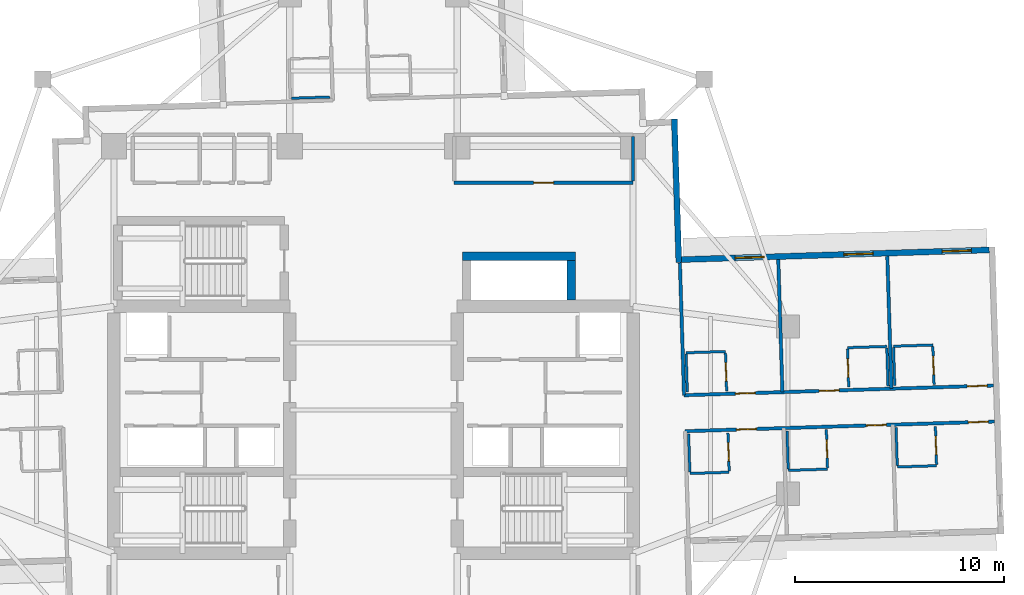
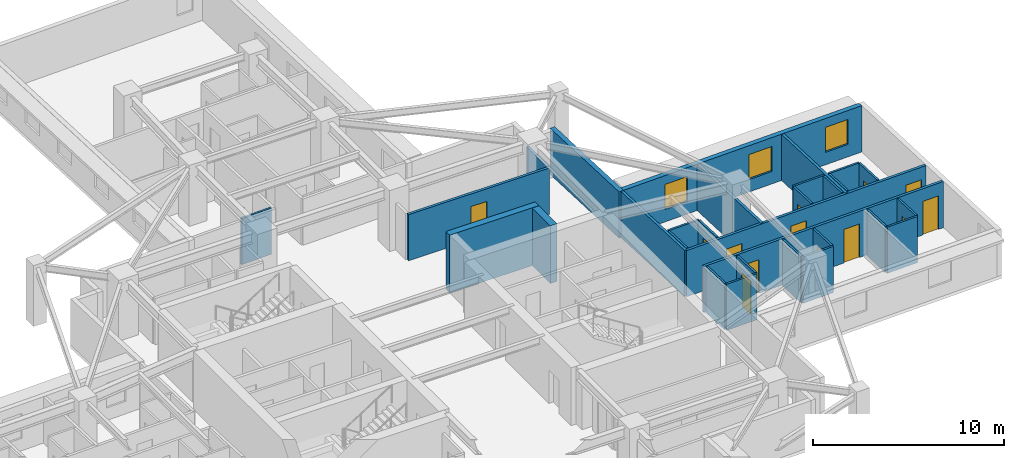
# One storey, part 7 of 14: 30 walls, 13 doors, 3 windows, 16 openings.
"""IFC4 building model written with IfcOpenShell, lengths in metres."""

from ifc_helpers import new_model, si_unit, direction, frame, frame_2d, origin, place, context, subcontext, project, spatial, rectangle, extrude, material, layer, layer_set, type_object, element, fill, save


model = new_model("IFC4")

# Units and contexts
model_context = context("Model", 3, precision=1e-05, world=origin(), true_north=direction((0.0, 1.0)))
body_context = subcontext(model_context, "Body", "Model", "MODEL_VIEW")
ifc_project = project(units=[si_unit("LENGTHUNIT", "METRE"), si_unit("AREAUNIT", "SQUARE_METRE"), si_unit("VOLUMEUNIT", "CUBIC_METRE"), si_unit("PLANEANGLEUNIT", "RADIAN"), si_unit("MASSUNIT", "GRAM", prefix="KILO")], contexts=[model_context])

# Site, building, storey
site_placement = place(None, origin())
site = spatial("IfcSite", under=ifc_project, at=site_placement, CompositionType="ELEMENT")
building_placement = place(site_placement, origin())
building = spatial("IfcBuilding", under=site, at=building_placement, Name="Qingluan Cross Belvedere", CompositionType="ELEMENT")
storey_placement = place(building_placement, frame((0.0, 0.0, 112.5)))
storey = spatial("IfcBuildingStorey", under=building, at=storey_placement, Name="L28", CompositionType="ELEMENT", Elevation=112.5)

# Walls
ifc_material_1 = material(Name="Concrete C50", Category="concrete")
ifc_layer_1 = layer(ifc_material_1, 0.449951171875, Name="CoreShearWall_450")
ifc_layer_set_1 = layer_set([ifc_layer_1], Name="Concrete C50")
wall_type_1 = type_object("IfcWallType", Name="CoreShearWall_450", PredefinedType="SHEAR", material=ifc_layer_set_1)
wall_1_placement = place(storey_placement, frame((4.25, 7.35009765625, 0.0), z_axis=(0.0, 0.0, 1.0), x_axis=(1.0, 0.0, 0.0)))
element("IfcWall", 1, at=wall_1_placement, inside=storey, type_object=wall_type_1, Name="Express shuttle core wall L28-N", PredefinedType="SHEAR", context=body_context, shape_type="SweptSolid", body=[
    extrude(rectangle(XDim=5.39990234375, YDim=0.39990234375, at=frame_2d((2.699951171875, 0.0))), origin(), (0.0, 0.0, 1.0), 3.699951171875),
])
wall_2_placement = place(storey_placement, frame((9.449951171875, 5.2548828125, 0.0), z_axis=(0.0, 0.0, 1.0), x_axis=(0.0, 1.0, 0.0)))
element("IfcWall", 2, at=wall_2_placement, inside=storey, type_object=wall_type_1, Name="Express shuttle core wall L28-E", PredefinedType="SHEAR", context=body_context, shape_type="SweptSolid", body=[
    extrude(rectangle(XDim=1.885009765625, YDim=0.39990234375, at=frame_2d((0.9423828125, 0.0))), origin(), (0.0, 0.0, 1.0), 3.699951171875),
])

# Wall, opening, door
ifc_material_2 = material(Name="Gypsum plasterboard on steel stud acoustic partition", Category="steel")
ifc_layer_2 = layer(ifc_material_2, 0.159912109375, Name="CorridorPartition_160")
ifc_layer_set_2 = layer_set([ifc_layer_2], Name="Gypsum plasterboard on steel stud acoustic partition")
wall_type_2 = type_object("IfcWallType", Name="CorridorPartition_160", PredefinedType="PARTITIONING", material=ifc_layer_set_2)
wall_3_placement = place(storey_placement, frame((3.85009765625, 10.85009765625, 0.0), z_axis=(0.0, 0.0, 1.0), x_axis=(1.0, 0.0, 0.0)))
wall_3 = element("IfcWall", 3, at=wall_3_placement, inside=storey, type_object=wall_type_2, Name="Partition L28:q_ne:S", PredefinedType="PARTITIONING", context=body_context, shape_type="SweptSolid", body=[
    extrude(rectangle(XDim=8.5498046875, YDim=0.159912109375, at=frame_2d((4.27490234375, 0.0))), origin(), (0.0, 0.0, 1.0), 2.9599609375),
])
opening_1_placement = place(wall_3_placement, frame((3.794921875, 0.0, 0.0)))
opening_1 = element("IfcOpeningElement", 4, at=opening_1_placement, cuts=wall_3, Name="Opening GD-10", PredefinedType="OPENING", context=body_context, shape_type="SweptSolid", body=[
    extrude(rectangle(XDim=0.9599609375, YDim=2.14990234375, at=frame_2d((0.47998046875, 1.074951171875))), frame((0.0, 0.08984375, 0.0), z_axis=(0.0, -1.0, 0.0), x_axis=(1.0, 0.0, 0.0)), (0.0, 0.0, 1.0), 0.179931640625),
])
ifc_material_3 = material(Name="Timber oak fire-rated acoustic guestroom door", Category="wood")
door_type_1 = type_object("IfcDoorType", Name="GuestEntryDoor_FD60", OperationType="NOTDEFINED", PredefinedType="DOOR", material=ifc_material_3)
door_1_placement = place(opening_1_placement, origin())
door_1 = element("IfcDoor", 5, at=door_1_placement, inside=storey, type_object=door_type_1, Name="Executive club lounge L28 door", OperationType="SINGLE_SWING_LEFT", OverallHeight=2.14990234375, OverallWidth=0.9599609375, PredefinedType="DOOR", context=body_context, shape_type="SweptSolid", body=[
    extrude(rectangle(XDim=0.9599609375, YDim=2.14990234375, at=frame_2d((0.47998046875, 1.074951171875))), frame((0.0, 0.02490234375, 0.0), z_axis=(0.0, -1.0, 0.0), x_axis=(1.0, 0.0, 0.0)), (0.0, 0.0, 1.0), 0.050048828125),
])
fill(opening_1, door_1)

# Wall
wall_4_placement = place(storey_placement, frame((12.39990234375, 10.93505859375, 0.0), z_axis=(0.0, 0.0, 1.0), x_axis=(0.0, 1.0, 0.0)))
element("IfcWall", 6, at=wall_4_placement, inside=storey, type_object=wall_type_2, Name="Partition L28:q_ne:E", PredefinedType="PARTITIONING", context=body_context, shape_type="SweptSolid", body=[
    extrude(rectangle(XDim=2.1298828125, YDim=0.159912109375, at=frame_2d((1.06494140625, 0.0))), origin(), (0.0, 0.0, 1.0), 2.9599609375),
])

# Wall, openings, doors
wall_5_placement = place(storey_placement, frame((14.835205078125, 0.706298828125, 0.0), z_axis=(0.0, 0.0, 1.0), x_axis=(0.999506468759, 0.031413673903, 0.0)))
wall_5 = element("IfcWall", 7, at=wall_5_placement, inside=storey, type_object=wall_type_2, Name="Partition L28:E:c0", PredefinedType="PARTITIONING", context=body_context, shape_type="SweptSolid", body=[
    extrude(rectangle(XDim=14.781982421875, YDim=0.159912109375, at=frame_2d((7.39111328125, 0.0))), origin(), (0.0, 0.0, 1.0), 2.9599609375),
])
opening_2_placement = place(wall_5_placement, frame((2.449951171875, 0.0, 0.0)))
opening_2 = element("IfcOpeningElement", 8, at=opening_2_placement, cuts=wall_5, Name="Opening GD-10", PredefinedType="OPENING", context=body_context, shape_type="SweptSolid", body=[
    extrude(rectangle(XDim=0.9599609375, YDim=2.14990234375, at=frame_2d((0.47998046875, 1.074951171875))), frame((0.0, 0.08984375, 0.0), z_axis=(0.0, -1.0, 0.0), x_axis=(1.0, 0.0, 0.0)), (0.0, 0.0, 1.0), 0.179931640625),
])
opening_3_placement = place(wall_5_placement, frame((6.452880859375, 0.0, 0.0)))
opening_3 = element("IfcOpeningElement", 9, at=opening_3_placement, cuts=wall_5, Name="Opening GD-10", PredefinedType="OPENING", context=body_context, shape_type="SweptSolid", body=[
    extrude(rectangle(XDim=0.9599609375, YDim=2.14990234375, at=frame_2d((0.47998046875, 1.074951171875))), frame((0.0, 0.08984375, 0.0), z_axis=(0.0, -1.0, 0.0), x_axis=(1.0, 0.0, 0.0)), (0.0, 0.0, 1.0), 0.179931640625),
])
opening_4_placement = place(wall_5_placement, frame((13.530029296875, 0.0, 0.0)))
opening_4 = element("IfcOpeningElement", 10, at=opening_4_placement, cuts=wall_5, Name="Opening GD-10", PredefinedType="OPENING", context=body_context, shape_type="SweptSolid", body=[
    extrude(rectangle(XDim=0.9599609375, YDim=2.14990234375, at=frame_2d((0.47998046875, 1.074951171875))), frame((0.0, 0.08984375, 0.0), z_axis=(0.0, -1.0, 0.0), x_axis=(1.0, 0.0, 0.0)), (0.0, 0.0, 1.0), 0.179931640625),
])
door_2_placement = place(opening_2_placement, origin())
door_2 = element("IfcDoor", 11, at=door_2_placement, inside=storey, type_object=door_type_1, Name="Guest entry fire door 2801", OperationType="SINGLE_SWING_RIGHT", OverallHeight=2.14990234375, OverallWidth=0.9599609375, PredefinedType="DOOR", context=body_context, shape_type="SweptSolid", body=[
    extrude(rectangle(XDim=0.9599609375, YDim=2.14990234375, at=frame_2d((0.47998046875, 1.074951171875))), frame((0.0, 0.02490234375, 0.0), z_axis=(0.0, -1.0, 0.0), x_axis=(1.0, 0.0, 0.0)), (0.0, 0.0, 1.0), 0.050048828125),
])
fill(opening_2, door_2)
door_3_placement = place(opening_3_placement, origin())
door_3 = element("IfcDoor", 12, at=door_3_placement, inside=storey, type_object=door_type_1, Name="Guest entry fire door 2802", OperationType="SINGLE_SWING_RIGHT", OverallHeight=2.14990234375, OverallWidth=0.9599609375, PredefinedType="DOOR", context=body_context, shape_type="SweptSolid", body=[
    extrude(rectangle(XDim=0.9599609375, YDim=2.14990234375, at=frame_2d((0.47998046875, 1.074951171875))), frame((0.0, 0.02490234375, 0.0), z_axis=(0.0, -1.0, 0.0), x_axis=(1.0, 0.0, 0.0)), (0.0, 0.0, 1.0), 0.050048828125),
])
fill(opening_3, door_3)
door_4_placement = place(opening_4_placement, origin())
door_4 = element("IfcDoor", 13, at=door_4_placement, inside=storey, type_object=door_type_1, Name="Guest entry fire door 2803", OperationType="SINGLE_SWING_RIGHT", OverallHeight=2.14990234375, OverallWidth=0.9599609375, PredefinedType="DOOR", context=body_context, shape_type="SweptSolid", body=[
    extrude(rectangle(XDim=0.9599609375, YDim=2.14990234375, at=frame_2d((0.47998046875, 1.074951171875))), frame((0.0, 0.02490234375, 0.0), z_axis=(0.0, -1.0, 0.0), x_axis=(1.0, 0.0, 0.0)), (0.0, 0.0, 1.0), 0.050048828125),
])
fill(opening_4, door_4)

# Walls
wall_6_placement = place(storey_placement, frame((14.835205078125, 0.706298828125, 0.0), z_axis=(0.0, 0.0, 1.0), x_axis=(-0.031423736229, 0.999506152458, 0.0)))
element("IfcWall", 14, at=wall_6_placement, inside=storey, type_object=wall_type_2, Name="Partition L28:E:s0", PredefinedType="PARTITIONING", context=body_context, shape_type="SweptSolid", body=[
    extrude(rectangle(XDim=6.33203125, YDim=0.159912109375, at=frame_2d((3.166015625, 0.0))), origin(), (0.0, 0.0, 1.0), 2.9599609375),
])
for number, where, z_axis, x_axis, name in (
    (15, (19.535888671875, 0.85400390625, 0.0), (0.0, 0.0, 1.0), (-0.031422525277, 0.999506190529, 0.0), "Partition L28:E:d0_0"),
    (16, (24.744140625, 1.017578125, 0.0), (0.0, 0.0, 1.0), (-0.03138400803, 0.999507400693, 0.0), "Partition L28:E:d0_1"),
):
    element("IfcWall", number, at=place(storey_placement, frame(where, z_axis=z_axis, x_axis=x_axis)), inside=storey, type_object=wall_type_2, Name=name, PredefinedType="PARTITIONING", context=body_context, shape_type="SweptSolid", body=[
        extrude(rectangle(XDim=6.332275390625, YDim=0.159912109375, at=frame_2d((3.166015625, 0.0))), origin(), (0.0, 0.0, 1.0), 2.9599609375),
    ])

# Wall, openings, doors
wall_7_placement = place(storey_placement, frame((14.88916015625, -1.0126953125, 0.0), z_axis=(0.0, 0.0, 1.0), x_axis=(0.9995069872, 0.031397174061, 0.0)))
wall_7 = element("IfcWall", 17, at=wall_7_placement, inside=storey, type_object=wall_type_2, Name="Partition L28:E:c1", PredefinedType="PARTITIONING", context=body_context, shape_type="SweptSolid", body=[
    extrude(rectangle(XDim=14.781982421875, YDim=0.159912109375, at=frame_2d((7.39111328125, 0.0))), origin(), (0.0, 0.0, 1.0), 2.9599609375),
])
opening_5_placement = place(wall_7_placement, frame((2.449951171875, 0.0, 0.0)))
opening_5 = element("IfcOpeningElement", 18, at=opening_5_placement, cuts=wall_7, Name="Opening GD-10", PredefinedType="OPENING", context=body_context, shape_type="SweptSolid", body=[
    extrude(rectangle(XDim=0.9599609375, YDim=2.14990234375, at=frame_2d((0.47998046875, 1.074951171875))), frame((0.0, 0.08984375, 0.0), z_axis=(0.0, -1.0, 0.0), x_axis=(1.0, 0.0, 0.0)), (0.0, 0.0, 1.0), 0.179931640625),
])
opening_6_placement = place(wall_7_placement, frame((8.654052734375, 0.0, 0.0)))
opening_6 = element("IfcOpeningElement", 19, at=opening_6_placement, cuts=wall_7, Name="Opening GD-10", PredefinedType="OPENING", context=body_context, shape_type="SweptSolid", body=[
    extrude(rectangle(XDim=0.9599609375, YDim=2.14990234375, at=frame_2d((0.47998046875, 1.074951171875))), frame((0.0, 0.08984375, 0.0), z_axis=(0.0, -1.0, 0.0), x_axis=(1.0, 0.0, 0.0)), (0.0, 0.0, 1.0), 0.179931640625),
])
opening_7_placement = place(wall_7_placement, frame((13.530029296875, 0.0, 0.0)))
opening_7 = element("IfcOpeningElement", 20, at=opening_7_placement, cuts=wall_7, Name="Opening GD-10", PredefinedType="OPENING", context=body_context, shape_type="SweptSolid", body=[
    extrude(rectangle(XDim=0.9599609375, YDim=2.14990234375, at=frame_2d((0.47998046875, 1.074951171875))), frame((0.0, 0.08984375, 0.0), z_axis=(0.0, -1.0, 0.0), x_axis=(1.0, 0.0, 0.0)), (0.0, 0.0, 1.0), 0.179931640625),
])
door_5_placement = place(opening_5_placement, origin())
door_5 = element("IfcDoor", 21, at=door_5_placement, inside=storey, type_object=door_type_1, Name="Guest entry fire door 2804", OperationType="SINGLE_SWING_RIGHT", OverallHeight=2.14990234375, OverallWidth=0.9599609375, PredefinedType="DOOR", context=body_context, shape_type="SweptSolid", body=[
    extrude(rectangle(XDim=0.9599609375, YDim=2.14990234375, at=frame_2d((0.47998046875, 1.074951171875))), frame((0.0, 0.02490234375, 0.0), z_axis=(0.0, -1.0, 0.0), x_axis=(1.0, 0.0, 0.0)), (0.0, 0.0, 1.0), 0.050048828125),
])
fill(opening_5, door_5)
door_6_placement = place(opening_6_placement, origin())
door_6 = element("IfcDoor", 22, at=door_6_placement, inside=storey, type_object=door_type_1, Name="Guest entry fire door 2805", OperationType="SINGLE_SWING_RIGHT", OverallHeight=2.14990234375, OverallWidth=0.9599609375, PredefinedType="DOOR", context=body_context, shape_type="SweptSolid", body=[
    extrude(rectangle(XDim=0.9599609375, YDim=2.14990234375, at=frame_2d((0.47998046875, 1.074951171875))), frame((0.0, 0.02490234375, 0.0), z_axis=(0.0, -1.0, 0.0), x_axis=(1.0, 0.0, 0.0)), (0.0, 0.0, 1.0), 0.050048828125),
])
fill(opening_6, door_6)
door_7_placement = place(opening_7_placement, origin())
door_7 = element("IfcDoor", 23, at=door_7_placement, inside=storey, type_object=door_type_1, Name="Guest entry fire door 2806", OperationType="SINGLE_SWING_RIGHT", OverallHeight=2.14990234375, OverallWidth=0.9599609375, PredefinedType="DOOR", context=body_context, shape_type="SweptSolid", body=[
    extrude(rectangle(XDim=0.9599609375, YDim=2.14990234375, at=frame_2d((0.47998046875, 1.074951171875))), frame((0.0, 0.02490234375, 0.0), z_axis=(0.0, -1.0, 0.0), x_axis=(1.0, 0.0, 0.0)), (0.0, 0.0, 1.0), 0.050048828125),
])
fill(opening_7, door_7)

# Wall, opening, door
ifc_material_4 = material(Name="Moisture-resistant gypsum board lining")
ifc_layer_3 = layer(ifc_material_4, 0.1201171875, Name="EnsuiteWetPartition_120")
ifc_layer_set_3 = layer_set([ifc_layer_3], Name="Moisture-resistant gypsum board lining")
wall_type_3 = type_object("IfcWallType", Name="EnsuiteWetPartition_120", PredefinedType="PARTITIONING", material=ifc_layer_set_3)
wall_8_placement = place(storey_placement, frame((16.86962890625, 0.910400390625, 0.0), z_axis=(0.0, 0.0, 1.0), x_axis=(-0.031389704724, 0.999507221803, 0.0)))
wall_8 = element("IfcWall", 24, at=wall_8_placement, inside=storey, type_object=wall_type_3, Name="Partition L28:E:bs0_0", PredefinedType="PARTITIONING", context=body_context, shape_type="SweptSolid", body=[
    extrude(rectangle(XDim=1.820068359375, YDim=0.1201171875, at=frame_2d((0.91015625, 0.0))), origin(), (0.0, 0.0, 1.0), 2.9599609375),
])
opening_8_placement = place(wall_8_placement, frame((0.469970703125, 0.0, 0.0)))
opening_8 = element("IfcOpeningElement", 25, at=opening_8_placement, cuts=wall_8, Name="Opening BD-09", PredefinedType="OPENING", context=body_context, shape_type="SweptSolid", body=[
    extrude(rectangle(XDim=0.8798828125, YDim=2.10009765625, at=frame_2d((0.43994140625, 1.050048828125))), frame((0.0, 0.070068359375, 0.0), z_axis=(0.0, -1.0, 0.0), x_axis=(1.0, 0.0, 0.0)), (0.0, 0.0, 1.0), 0.14013671875),
])
ifc_material_5 = material(Name="Moisture-sealed timber en-suite door", Category="wood")
door_type_2 = type_object("IfcDoorType", Name="BathroomDoor_880", OperationType="NOTDEFINED", PredefinedType="DOOR", material=ifc_material_5)
door_8_placement = place(opening_8_placement, origin())
door_8 = element("IfcDoor", 26, at=door_8_placement, inside=storey, type_object=door_type_2, Name="Bathroom door 2801", OperationType="SINGLE_SWING_LEFT", OverallHeight=2.10009765625, OverallWidth=0.8798828125, PredefinedType="DOOR", context=body_context, shape_type="SweptSolid", body=[
    extrude(rectangle(XDim=0.8798828125, YDim=2.10009765625, at=frame_2d((0.43994140625, 1.050048828125))), frame((0.0, 0.02490234375, 0.0), z_axis=(0.0, -1.0, 0.0), x_axis=(1.0, 0.0, 0.0)), (0.0, 0.0, 1.0), 0.050048828125),
])
fill(opening_8, door_8)

# Walls
wall_9_placement = place(storey_placement, frame((14.99072265625, 0.851318359375, 0.0), z_axis=(0.0, 0.0, 1.0), x_axis=(-0.031389704724, 0.999507221803, 0.0)))
element("IfcWall", 27, at=wall_9_placement, inside=storey, type_object=wall_type_3, Name="Partition L28:E:bw0_0", PredefinedType="PARTITIONING", context=body_context, shape_type="SweptSolid", body=[
    extrude(rectangle(XDim=1.820068359375, YDim=0.1201171875, at=frame_2d((0.91015625, 0.0))), origin(), (0.0, 0.0, 1.0), 2.9599609375),
])
wall_10_placement = place(storey_placement, frame((14.931396484375, 2.7353515625, 0.0), z_axis=(0.0, 0.0, 1.0), x_axis=(0.999506103526, 0.031425292588, 0.0)))
element("IfcWall", 28, at=wall_10_placement, inside=storey, type_object=wall_type_3, Name="Partition L28:E:bn0_0", PredefinedType="PARTITIONING", context=body_context, shape_type="SweptSolid", body=[
    extrude(rectangle(XDim=1.880126953125, YDim=0.1201171875, at=frame_2d((0.93994140625, 0.0))), origin(), (0.0, 0.0, 1.0), 2.9599609375),
])

# Wall, opening, door
wall_11_placement = place(storey_placement, frame((22.700927734375, 1.093505859375, 0.0), z_axis=(0.0, 0.0, 1.0), x_axis=(-0.031389704724, 0.999507221803, 0.0)))
wall_11 = element("IfcWall", 29, at=wall_11_placement, inside=storey, type_object=wall_type_3, Name="Partition L28:E:bs0_1", PredefinedType="PARTITIONING", context=body_context, shape_type="SweptSolid", body=[
    extrude(rectangle(XDim=1.820068359375, YDim=0.1201171875, at=frame_2d((0.91015625, 0.0))), origin(), (0.0, 0.0, 1.0), 2.9599609375),
])
opening_9_placement = place(wall_11_placement, frame((0.469970703125, 0.0, 0.0)))
opening_9 = element("IfcOpeningElement", 30, at=opening_9_placement, cuts=wall_11, Name="Opening BD-09", PredefinedType="OPENING", context=body_context, shape_type="SweptSolid", body=[
    extrude(rectangle(XDim=0.8798828125, YDim=2.10009765625, at=frame_2d((0.43994140625, 1.050048828125))), frame((0.0, 0.070068359375, 0.0), z_axis=(0.0, -1.0, 0.0), x_axis=(1.0, 0.0, 0.0)), (0.0, 0.0, 1.0), 0.14013671875),
])
door_9_placement = place(opening_9_placement, origin())
door_9 = element("IfcDoor", 31, at=door_9_placement, inside=storey, type_object=door_type_2, Name="Bathroom door 2802", OperationType="SINGLE_SWING_LEFT", OverallHeight=2.10009765625, OverallWidth=0.8798828125, PredefinedType="DOOR", context=body_context, shape_type="SweptSolid", body=[
    extrude(rectangle(XDim=0.8798828125, YDim=2.10009765625, at=frame_2d((0.43994140625, 1.050048828125))), frame((0.0, 0.02490234375, 0.0), z_axis=(0.0, -1.0, 0.0), x_axis=(1.0, 0.0, 0.0)), (0.0, 0.0, 1.0), 0.050048828125),
])
fill(opening_9, door_9)

# Walls
wall_12_placement = place(storey_placement, frame((24.579833984375, 1.152587890625, 0.0), z_axis=(0.0, 0.0, 1.0), x_axis=(-0.031389704724, 0.999507221803, 0.0)))
element("IfcWall", 32, at=wall_12_placement, inside=storey, type_object=wall_type_3, Name="Partition L28:E:bw0_1", PredefinedType="PARTITIONING", context=body_context, shape_type="SweptSolid", body=[
    extrude(rectangle(XDim=1.820068359375, YDim=0.1201171875, at=frame_2d((0.91015625, 0.0))), origin(), (0.0, 0.0, 1.0), 2.9599609375),
])
wall_13_placement = place(storey_placement, frame((22.6416015625, 2.977783203125, 0.0), z_axis=(0.0, 0.0, 1.0), x_axis=(0.999510173889, 0.031295563454, 0.0)))
element("IfcWall", 33, at=wall_13_placement, inside=storey, type_object=wall_type_3, Name="Partition L28:E:bn0_1", PredefinedType="PARTITIONING", context=body_context, shape_type="SweptSolid", body=[
    extrude(rectangle(XDim=1.880126953125, YDim=0.1201171875, at=frame_2d((0.93994140625, 0.0))), origin(), (0.0, 0.0, 1.0), 2.9599609375),
])

# Wall, opening, door
wall_14_placement = place(storey_placement, frame((26.77880859375, 1.2216796875, 0.0), z_axis=(0.0, 0.0, 1.0), x_axis=(-0.031389704724, 0.999507221803, 0.0)))
wall_14 = element("IfcWall", 34, at=wall_14_placement, inside=storey, type_object=wall_type_3, Name="Partition L28:E:bs0_2", PredefinedType="PARTITIONING", context=body_context, shape_type="SweptSolid", body=[
    extrude(rectangle(XDim=1.820068359375, YDim=0.1201171875, at=frame_2d((0.91015625, 0.0))), origin(), (0.0, 0.0, 1.0), 2.9599609375),
])
opening_10_placement = place(wall_14_placement, frame((0.469970703125, 0.0, 0.0)))
opening_10 = element("IfcOpeningElement", 35, at=opening_10_placement, cuts=wall_14, Name="Opening BD-09", PredefinedType="OPENING", context=body_context, shape_type="SweptSolid", body=[
    extrude(rectangle(XDim=0.8798828125, YDim=2.10009765625, at=frame_2d((0.43994140625, 1.050048828125))), frame((0.0, 0.070068359375, 0.0), z_axis=(0.0, -1.0, 0.0), x_axis=(1.0, 0.0, 0.0)), (0.0, 0.0, 1.0), 0.14013671875),
])
door_10_placement = place(opening_10_placement, origin())
door_10 = element("IfcDoor", 36, at=door_10_placement, inside=storey, type_object=door_type_2, Name="Bathroom door 2803", OperationType="SINGLE_SWING_LEFT", OverallHeight=2.10009765625, OverallWidth=0.8798828125, PredefinedType="DOOR", context=body_context, shape_type="SweptSolid", body=[
    extrude(rectangle(XDim=0.8798828125, YDim=2.10009765625, at=frame_2d((0.43994140625, 1.050048828125))), frame((0.0, 0.02490234375, 0.0), z_axis=(0.0, -1.0, 0.0), x_axis=(1.0, 0.0, 0.0)), (0.0, 0.0, 1.0), 0.050048828125),
])
fill(opening_10, door_10)

# Walls
wall_15_placement = place(storey_placement, frame((24.89990234375, 1.16259765625, 0.0), z_axis=(0.0, 0.0, 1.0), x_axis=(-0.03152371574, 0.999503004171, 0.0)))
element("IfcWall", 37, at=wall_15_placement, inside=storey, type_object=wall_type_3, Name="Partition L28:E:bw0_2", PredefinedType="PARTITIONING", context=body_context, shape_type="SweptSolid", body=[
    extrude(rectangle(XDim=1.820068359375, YDim=0.1201171875, at=frame_2d((0.91015625, 0.0))), origin(), (0.0, 0.0, 1.0), 2.9599609375),
])
wall_16_placement = place(storey_placement, frame((24.840576171875, 3.046875, 0.0), z_axis=(0.0, 0.0, 1.0), x_axis=(0.999510046681, 0.031299625942, 0.0)))
element("IfcWall", 38, at=wall_16_placement, inside=storey, type_object=wall_type_3, Name="Partition L28:E:bn0_2", PredefinedType="PARTITIONING", context=body_context, shape_type="SweptSolid", body=[
    extrude(rectangle(XDim=1.8798828125, YDim=0.1201171875, at=frame_2d((0.93994140625, 0.0))), origin(), (0.0, 0.0, 1.0), 2.9599609375),
])

# Wall, opening, door
wall_17_placement = place(storey_placement, frame((16.98974609375, -2.90771484375, 0.0), z_axis=(0.0, 0.0, 1.0), x_axis=(-0.031389704724, 0.999507221803, 0.0)))
wall_17 = element("IfcWall", 39, at=wall_17_placement, inside=storey, type_object=wall_type_3, Name="Partition L28:E:bs1_0", PredefinedType="PARTITIONING", context=body_context, shape_type="SweptSolid", body=[
    extrude(rectangle(XDim=1.820068359375, YDim=0.1201171875, at=frame_2d((0.91015625, 0.0))), origin(), (0.0, 0.0, 1.0), 2.9599609375),
])
opening_11_placement = place(wall_17_placement, frame((0.469970703125, 0.0, 0.0)))
opening_11 = element("IfcOpeningElement", 40, at=opening_11_placement, cuts=wall_17, Name="Opening BD-09", PredefinedType="OPENING", context=body_context, shape_type="SweptSolid", body=[
    extrude(rectangle(XDim=0.8798828125, YDim=2.10009765625, at=frame_2d((0.43994140625, 1.050048828125))), frame((0.0, 0.070068359375, 0.0), z_axis=(0.0, -1.0, 0.0), x_axis=(1.0, 0.0, 0.0)), (0.0, 0.0, 1.0), 0.14013671875),
])
door_11_placement = place(opening_11_placement, origin())
door_11 = element("IfcDoor", 41, at=door_11_placement, inside=storey, type_object=door_type_2, Name="Bathroom door 2804", OperationType="SINGLE_SWING_LEFT", OverallHeight=2.10009765625, OverallWidth=0.8798828125, PredefinedType="DOOR", context=body_context, shape_type="SweptSolid", body=[
    extrude(rectangle(XDim=0.8798828125, YDim=2.10009765625, at=frame_2d((0.43994140625, 1.050048828125))), frame((0.0, 0.02490234375, 0.0), z_axis=(0.0, -1.0, 0.0), x_axis=(1.0, 0.0, 0.0)), (0.0, 0.0, 1.0), 0.050048828125),
])
fill(opening_11, door_11)

# Walls
wall_18_placement = place(storey_placement, frame((15.110595703125, -2.966796875, 0.0), z_axis=(0.0, 0.0, 1.0), x_axis=(-0.031389704724, 0.999507221803, 0.0)))
element("IfcWall", 42, at=wall_18_placement, inside=storey, type_object=wall_type_3, Name="Partition L28:E:bw1_0", PredefinedType="PARTITIONING", context=body_context, shape_type="SweptSolid", body=[
    extrude(rectangle(XDim=1.820068359375, YDim=0.1201171875, at=frame_2d((0.91015625, 0.0))), origin(), (0.0, 0.0, 1.0), 2.9599609375),
])
wall_19_placement = place(storey_placement, frame((15.11279296875, -3.03173828125, 0.0), z_axis=(0.0, 0.0, 1.0), x_axis=(0.999505975261, 0.031429371883, 0.0)))
element("IfcWall", 43, at=wall_19_placement, inside=storey, type_object=wall_type_3, Name="Partition L28:E:bc1_0", PredefinedType="PARTITIONING", context=body_context, shape_type="SweptSolid", body=[
    extrude(rectangle(XDim=1.8798828125, YDim=0.1201171875, at=frame_2d((0.93994140625, 0.0))), origin(), (0.0, 0.0, 1.0), 2.9599609375),
])

# Wall, opening, door
wall_20_placement = place(storey_placement, frame((21.6904296875, -2.760009765625, 0.0), z_axis=(0.0, 0.0, 1.0), x_axis=(-0.031389704724, 0.999507221803, 0.0)))
wall_20 = element("IfcWall", 44, at=wall_20_placement, inside=storey, type_object=wall_type_3, Name="Partition L28:E:bs1_1", PredefinedType="PARTITIONING", context=body_context, shape_type="SweptSolid", body=[
    extrude(rectangle(XDim=1.820068359375, YDim=0.1201171875, at=frame_2d((0.91015625, 0.0))), origin(), (0.0, 0.0, 1.0), 2.9599609375),
])
opening_12_placement = place(wall_20_placement, frame((0.469970703125, 0.0, 0.0)))
opening_12 = element("IfcOpeningElement", 45, at=opening_12_placement, cuts=wall_20, Name="Opening BD-09", PredefinedType="OPENING", context=body_context, shape_type="SweptSolid", body=[
    extrude(rectangle(XDim=0.8798828125, YDim=2.10009765625, at=frame_2d((0.43994140625, 1.050048828125))), frame((0.0, 0.070068359375, 0.0), z_axis=(0.0, -1.0, 0.0), x_axis=(1.0, 0.0, 0.0)), (0.0, 0.0, 1.0), 0.14013671875),
])
door_12_placement = place(opening_12_placement, origin())
door_12 = element("IfcDoor", 46, at=door_12_placement, inside=storey, type_object=door_type_2, Name="Bathroom door 2805", OperationType="SINGLE_SWING_LEFT", OverallHeight=2.10009765625, OverallWidth=0.8798828125, PredefinedType="DOOR", context=body_context, shape_type="SweptSolid", body=[
    extrude(rectangle(XDim=0.8798828125, YDim=2.10009765625, at=frame_2d((0.43994140625, 1.050048828125))), frame((0.0, 0.02490234375, 0.0), z_axis=(0.0, -1.0, 0.0), x_axis=(1.0, 0.0, 0.0)), (0.0, 0.0, 1.0), 0.050048828125),
])
fill(opening_12, door_12)

# Walls
wall_21_placement = place(storey_placement, frame((19.811279296875, -2.819091796875, 0.0), z_axis=(0.0, 0.0, 1.0), x_axis=(-0.031389704724, 0.999507221803, 0.0)))
element("IfcWall", 47, at=wall_21_placement, inside=storey, type_object=wall_type_3, Name="Partition L28:E:bw1_1", PredefinedType="PARTITIONING", context=body_context, shape_type="SweptSolid", body=[
    extrude(rectangle(XDim=1.820068359375, YDim=0.1201171875, at=frame_2d((0.91015625, 0.0))), origin(), (0.0, 0.0, 1.0), 2.9599609375),
])
wall_22_placement = place(storey_placement, frame((19.8134765625, -2.884033203125, 0.0), z_axis=(0.0, 0.0, 1.0), x_axis=(0.999505975261, 0.031429371883, 0.0)))
element("IfcWall", 48, at=wall_22_placement, inside=storey, type_object=wall_type_3, Name="Partition L28:E:bc1_1", PredefinedType="PARTITIONING", context=body_context, shape_type="SweptSolid", body=[
    extrude(rectangle(XDim=1.8798828125, YDim=0.1201171875, at=frame_2d((0.93994140625, 0.0))), origin(), (0.0, 0.0, 1.0), 2.9599609375),
])

# Wall, opening, door
wall_23_placement = place(storey_placement, frame((26.898681640625, -2.596435546875, 0.0), z_axis=(0.0, 0.0, 1.0), x_axis=(-0.031255692016, 0.999511421504, 0.0)))
wall_23 = element("IfcWall", 49, at=wall_23_placement, inside=storey, type_object=wall_type_3, Name="Partition L28:E:bs1_2", PredefinedType="PARTITIONING", context=body_context, shape_type="SweptSolid", body=[
    extrude(rectangle(XDim=1.820068359375, YDim=0.1201171875, at=frame_2d((0.91015625, 0.0))), origin(), (0.0, 0.0, 1.0), 2.9599609375),
])
opening_13_placement = place(wall_23_placement, frame((0.469970703125, 0.0, 0.0)))
opening_13 = element("IfcOpeningElement", 50, at=opening_13_placement, cuts=wall_23, Name="Opening BD-09", PredefinedType="OPENING", context=body_context, shape_type="SweptSolid", body=[
    extrude(rectangle(XDim=0.8798828125, YDim=2.10009765625, at=frame_2d((0.43994140625, 1.050048828125))), frame((0.0, 0.070068359375, 0.0), z_axis=(0.0, -1.0, 0.0), x_axis=(1.0, 0.0, 0.0)), (0.0, 0.0, 1.0), 0.14013671875),
])
door_13_placement = place(opening_13_placement, origin())
door_13 = element("IfcDoor", 51, at=door_13_placement, inside=storey, type_object=door_type_2, Name="Bathroom door 2806", OperationType="SINGLE_SWING_LEFT", OverallHeight=2.10009765625, OverallWidth=0.8798828125, PredefinedType="DOOR", context=body_context, shape_type="SweptSolid", body=[
    extrude(rectangle(XDim=0.8798828125, YDim=2.10009765625, at=frame_2d((0.43994140625, 1.050048828125))), frame((0.0, 0.02490234375, 0.0), z_axis=(0.0, -1.0, 0.0), x_axis=(1.0, 0.0, 0.0)), (0.0, 0.0, 1.0), 0.050048828125),
])
fill(opening_13, door_13)

# Walls
wall_24_placement = place(storey_placement, frame((25.019775390625, -2.655517578125, 0.0), z_axis=(0.0, 0.0, 1.0), x_axis=(-0.031385496622, 0.999507353951, 0.0)))
element("IfcWall", 52, at=wall_24_placement, inside=storey, type_object=wall_type_3, Name="Partition L28:E:bw1_2", PredefinedType="PARTITIONING", context=body_context, shape_type="SweptSolid", body=[
    extrude(rectangle(XDim=1.8203125, YDim=0.1201171875, at=frame_2d((0.91015625, 0.0))), origin(), (0.0, 0.0, 1.0), 2.9599609375),
])
wall_25_placement = place(storey_placement, frame((25.021728515625, -2.720458984375, 0.0), z_axis=(0.0, 0.0, 1.0), x_axis=(0.999506103526, 0.031425292588, 0.0)))
element("IfcWall", 53, at=wall_25_placement, inside=storey, type_object=wall_type_3, Name="Partition L28:E:bc1_2", PredefinedType="PARTITIONING", context=body_context, shape_type="SweptSolid", body=[
    extrude(rectangle(XDim=1.880126953125, YDim=0.1201171875, at=frame_2d((0.93994140625, 0.0))), origin(), (0.0, 0.0, 1.0), 2.9599609375),
])
wall_26_placement = place(storey_placement, frame((-3.909912109375, 14.89453125, 0.0), z_axis=(0.0, 0.0, 1.0), x_axis=(0.999507221803, 0.031389704724, 0.0)))
element("IfcWall", 54, at=wall_26_placement, inside=storey, type_object=wall_type_3, Name="Partition L28:N:bw1_0", PredefinedType="PARTITIONING", context=body_context, shape_type="SweptSolid", body=[
    extrude(rectangle(XDim=1.820068359375, YDim=0.1201171875, at=frame_2d((0.91015625, 0.0))), origin(), (0.0, 0.0, 1.0), 2.9599609375),
])

# Wall, openings, windows
ifc_material_6 = material(Name="Precast concrete C45", Category="concrete")
ifc_layer_4 = layer(ifc_material_6, 0.280029296875, Name="PrecastFacadeWall_280")
ifc_layer_set_4 = layer_set([ifc_layer_4], Name="Precast concrete C45")
wall_type_4 = type_object("IfcWallType", Name="PrecastFacadeWall_280", PredefinedType="STANDARD", material=ifc_layer_set_4)
wall_27_placement = place(storey_placement, frame((29.414306640625, 7.647705078125, 0.0), z_axis=(0.0, 0.0, 1.0), x_axis=(-0.999506714454, -0.031405855522, 0.0)))
wall_27 = element("IfcWall", 55, at=wall_27_placement, inside=storey, type_object=wall_type_4, Name="Facade wall L28-EB", PredefinedType="STANDARD", context=body_context, shape_type="SweptSolid", body=[
    extrude(rectangle(XDim=14.7001953125, YDim=0.280029296875, at=frame_2d((7.35009765625, 0.0))), origin(), (0.0, 0.0, 1.0), 2.969970703125),
])
opening_14_placement = place(wall_27_placement, frame((0.85009765625, 0.0, 0.800048828125)))
opening_14 = element("IfcOpeningElement", 56, at=opening_14_placement, cuts=wall_27, Name="Opening W-01", PredefinedType="OPENING", context=body_context, shape_type="SweptSolid", body=[
    extrude(rectangle(XDim=1.39990234375, YDim=1.60009765625, at=frame_2d((0.699951171875, 0.800048828125))), frame((0.0, 0.14990234375, 0.0), z_axis=(0.0, -1.0, 0.0), x_axis=(1.0, 0.0, 0.0)), (0.0, 0.0, 1.0), 0.300048828125),
])
opening_15_placement = place(wall_27_placement, frame((5.550048828125, 0.0, 0.800048828125)))
opening_15 = element("IfcOpeningElement", 57, at=opening_15_placement, cuts=wall_27, Name="Opening W-01", PredefinedType="OPENING", context=body_context, shape_type="SweptSolid", body=[
    extrude(rectangle(XDim=1.39990234375, YDim=1.60009765625, at=frame_2d((0.699951171875, 0.800048828125))), frame((0.0, 0.14990234375, 0.0), z_axis=(0.0, -1.0, 0.0), x_axis=(1.0, 0.0, 0.0)), (0.0, 0.0, 1.0), 0.300048828125),
])
opening_16_placement = place(wall_27_placement, frame((10.75, 0.0, 0.800048828125)))
opening_16 = element("IfcOpeningElement", 58, at=opening_16_placement, cuts=wall_27, Name="Opening W-01", PredefinedType="OPENING", context=body_context, shape_type="SweptSolid", body=[
    extrude(rectangle(XDim=1.39990234375, YDim=1.60009765625, at=frame_2d((0.699951171875, 0.800048828125))), frame((0.0, 0.14990234375, 0.0), z_axis=(0.0, -1.0, 0.0), x_axis=(1.0, 0.0, 0.0)), (0.0, 0.0, 1.0), 0.300048828125),
])
ifc_material_7 = material(Name="Thermally broken triple Low-E glass in aluminium frame", Category="aluminium")
window_type = type_object("IfcWindowType", Name="TriRibbonWin_1400x1600", PartitioningType="SINGLE_PANEL", PredefinedType="WINDOW", material=ifc_material_7)
window_1_placement = place(opening_14_placement, origin())
window_1 = element("IfcWindow", 59, at=window_1_placement, inside=storey, type_object=window_type, Name="Ribbon window L28-EB-1", OverallHeight=1.60009765625, OverallWidth=1.39990234375, PartitioningType="SINGLE_PANEL", PredefinedType="WINDOW", context=body_context, shape_type="SweptSolid", body=[
    extrude(rectangle(XDim=1.39990234375, YDim=1.60009765625, at=frame_2d((0.699951171875, 0.800048828125))), frame((0.0, 0.030029296875, 0.0), z_axis=(0.0, -1.0, 0.0), x_axis=(1.0, 0.0, 0.0)), (0.0, 0.0, 1.0), 0.06005859375),
])
fill(opening_14, window_1)
window_2_placement = place(opening_15_placement, origin())
window_2 = element("IfcWindow", 60, at=window_2_placement, inside=storey, type_object=window_type, Name="Ribbon window L28-EB-2", OverallHeight=1.60009765625, OverallWidth=1.39990234375, PartitioningType="SINGLE_PANEL", PredefinedType="WINDOW", context=body_context, shape_type="SweptSolid", body=[
    extrude(rectangle(XDim=1.39990234375, YDim=1.60009765625, at=frame_2d((0.699951171875, 0.800048828125))), frame((0.0, 0.030029296875, 0.0), z_axis=(0.0, -1.0, 0.0), x_axis=(1.0, 0.0, 0.0)), (0.0, 0.0, 1.0), 0.06005859375),
])
fill(opening_15, window_2)
window_3_placement = place(opening_16_placement, origin())
window_3 = element("IfcWindow", 61, at=window_3_placement, inside=storey, type_object=window_type, Name="Ribbon window L28-EB-3", OverallHeight=1.60009765625, OverallWidth=1.39990234375, PartitioningType="SINGLE_PANEL", PredefinedType="WINDOW", context=body_context, shape_type="SweptSolid", body=[
    extrude(rectangle(XDim=1.39990234375, YDim=1.60009765625, at=frame_2d((0.699951171875, 0.800048828125))), frame((0.0, 0.030029296875, 0.0), z_axis=(0.0, -1.0, 0.0), x_axis=(1.0, 0.0, 0.0)), (0.0, 0.0, 1.0), 0.06005859375),
])
fill(opening_16, window_3)

# Wall
wall_28_placement = place(storey_placement, frame((14.5859375, 7.04150390625, 0.0), z_axis=(0.0, 0.0, 1.0), x_axis=(-0.031389189386, 0.999507237988, 0.0)))
element("IfcWall", 62, at=wall_28_placement, inside=storey, type_object=wall_type_4, Name="Corner wall L28-NE1", PredefinedType="STANDARD", context=body_context, shape_type="SweptSolid", body=[
    extrude(rectangle(XDim=6.860107421875, YDim=0.280029296875, at=frame_2d((3.43017578125, 0.0))), origin(), (0.0, 0.0, 1.0), 2.969970703125),
])

save(model, "model.ifc")
